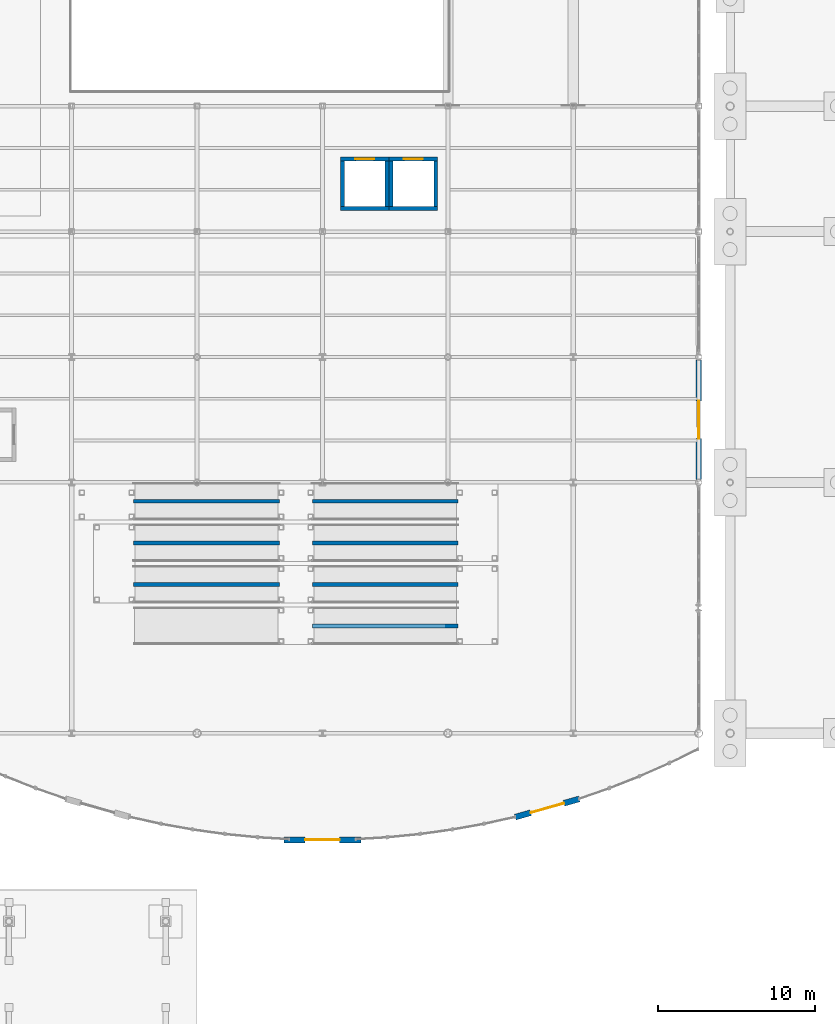
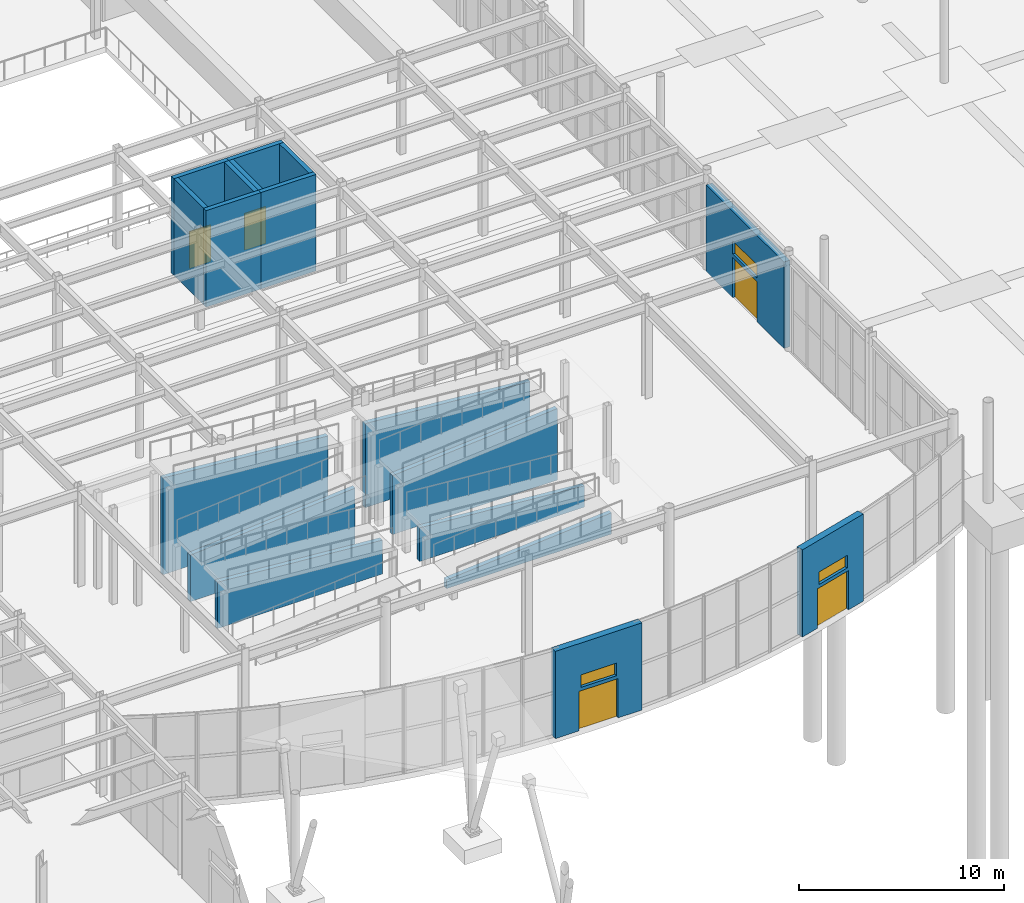
# One storey, part 61 of 82: 18 walls, 5 doors, 3 windows, 8 openings.
"""IFC4 building model written with IfcOpenShell, lengths in metres."""

from ifc_helpers import new_model, si_unit, direction, frame, frame_2d, origin, place, context, subcontext, project, spatial, polyline, rectangle, outline, extrude, material, layer, layer_set, type_object, element, fill, save


model = new_model("IFC4")

# Units and contexts
model_context = context("Model", 3, precision=1e-05, world=origin(), true_north=direction((0.0, 1.0)))
body_context = subcontext(model_context, "Body", "Model", "MODEL_VIEW")
ifc_project = project(units=[si_unit("LENGTHUNIT", "METRE"), si_unit("AREAUNIT", "SQUARE_METRE"), si_unit("VOLUMEUNIT", "CUBIC_METRE"), si_unit("PLANEANGLEUNIT", "RADIAN"), si_unit("MASSUNIT", "GRAM", prefix="KILO")], contexts=[model_context])

# Site, building, storey
site_placement = place(None, origin())
site = spatial("IfcSite", under=ifc_project, at=site_placement, CompositionType="ELEMENT")
building_placement = place(site_placement, origin())
building = spatial("IfcBuilding", under=site, at=building_placement, Name="Drelvath Fold Interchange", CompositionType="ELEMENT")
storey_placement = place(building_placement, origin())
storey = spatial("IfcBuildingStorey", under=building, at=storey_placement, Name="L00", CompositionType="ELEMENT", Elevation=0.0)

# Wall, openings, door, window
ifc_material_1 = material(Name="Precast concrete f'c 40 MPa (6000 psi)", Category="concrete")
ifc_layer_1 = layer(ifc_material_1, 0.340087890625, Name="Precast concrete f'c 40 MPa (6000 psi)")
ifc_layer_set_1 = layer_set([ifc_layer_1], Name="Precast concrete f'c 40 MPa (6000 psi)")
wall_type_1 = type_object("IfcWallType", Name="WL-EXT340", PredefinedType="SOLIDWALL", material=ifc_layer_set_1)
wall_1_placement = place(storey_placement, frame((100.0, 43.198974609375, 0.0), z_axis=(0.0, 0.0, 1.0), x_axis=(0.0, 1.0, 0.0)))
wall_1 = element("IfcWall", 1, at=wall_1_placement, inside=storey, type_object=wall_type_1, Name="L00 exterior facade wall 24", PredefinedType="SOLIDWALL", context=body_context, shape_type="SweptSolid", body=[
    extrude(rectangle(XDim=7.60205078125, YDim=0.340087890625, at=frame_2d((3.801025390625, 0.0))), origin(), (0.0, 0.0, 1.0), 5.14990234375),
])
opening_1_placement = place(wall_1_placement, frame((2.60107421875, 0.0, 0.0)))
opening_1 = element("IfcOpeningElement", 2, at=opening_1_placement, cuts=wall_1, Name="Opening E-17", PredefinedType="OPENING", context=body_context, shape_type="SweptSolid", body=[
    extrude(rectangle(XDim=2.39990234375, YDim=2.39990234375, at=frame_2d((1.199951171875, 1.199951171875))), frame((0.0, 0.179931640625, 0.0), z_axis=(0.0, -1.0, 0.0), x_axis=(1.0, 0.0, 0.0)), (0.0, 0.0, 1.0), 0.360107421875),
])
opening_2_placement = place(wall_1_placement, frame((2.60107421875, 0.0, 2.60009765625)))
opening_2 = element("IfcOpeningElement", 3, at=opening_2_placement, cuts=wall_1, Name="Opening W-L00-023", PredefinedType="OPENING", context=body_context, shape_type="SweptSolid", body=[
    extrude(rectangle(XDim=2.39990234375, YDim=0.800048828125, at=frame_2d((1.199951171875, 0.39990234375))), frame((0.0, 0.179931640625, 0.0), z_axis=(0.0, -1.0, 0.0), x_axis=(1.0, 0.0, 0.0)), (0.0, 0.0, 1.0), 0.360107421875),
])
ifc_material_2 = material(Name="Anodized Aluminium Glazed Door Assembly", Category="aluminium")
door_type_1 = type_object("IfcDoorType", Name="DR-EN2400", OperationType="DOUBLE_DOOR_SINGLE_SWING", PredefinedType="DOOR", material=ifc_material_2)
door_1_placement = place(opening_1_placement, frame((2.39990234375, 0.0, 0.0), z_axis=(0.0, 0.0, 1.0), x_axis=(-1.0, 0.0, 0.0)))
door_1 = element("IfcDoor", 4, at=door_1_placement, inside=storey, type_object=door_type_1, Name="Grade pedestrian entrance and final exit door E-17", OperationType="DOUBLE_DOOR_SINGLE_SWING", OverallHeight=2.39990234375, OverallWidth=2.39990234375, PredefinedType="DOOR", context=body_context, shape_type="SweptSolid", body=[
    extrude(rectangle(XDim=2.39990234375, YDim=2.39990234375, at=frame_2d((1.199951171875, 1.199951171875))), frame((0.0, 0.02490234375, 0.0), z_axis=(0.0, -1.0, 0.0), x_axis=(1.0, 0.0, 0.0)), (0.0, 0.0, 1.0), 0.050048828125),
])
fill(opening_1, door_1)
ifc_material_3 = material(Name="Low-Iron Insulated Laminated Glass", Category="glass")
window_type_1 = type_object("IfcWindowType", Name="WN-TR240x80", PartitioningType="SINGLE_PANEL", PredefinedType="LIGHTDOME", material=ifc_material_3)
window_1_placement = place(opening_2_placement, origin())
window_1 = element("IfcWindow", 5, at=window_1_placement, inside=storey, type_object=window_type_1, Name="Entrance transom window W-L00-023", OverallHeight=0.800048828125, OverallWidth=2.39990234375, PartitioningType="SINGLE_PANEL", PredefinedType="LIGHTDOME", context=body_context, shape_type="SweptSolid", body=[
    extrude(rectangle(XDim=2.39990234375, YDim=0.800048828125, at=frame_2d((1.199951171875, 0.39990234375))), frame((0.0, 0.030029296875, 0.0), z_axis=(0.0, -1.0, 0.0), x_axis=(1.0, 0.0, 0.0)), (0.0, 0.0, 1.0), 0.06005859375),
])
fill(opening_2, window_1)

ifc_layer_2 = layer(ifc_material_1, 0.3798828125, Name="Precast concrete f'c 40 MPa (6000 psi)")
ifc_layer_set_2 = layer_set([ifc_layer_2], Name="Precast concrete f'c 40 MPa (6000 psi)")
wall_type_2 = type_object("IfcWallType", Name="WL-EXT380", PredefinedType="SOLIDWALL", material=ifc_layer_set_2)
wall_2_placement = place(storey_placement, frame((73.554931640625, 20.199951171875, 0.0), z_axis=(0.0, 0.0, 1.0), x_axis=(1.0, 0.0, 0.0)))
wall_2 = element("IfcWall", 6, at=wall_2_placement, inside=storey, type_object=wall_type_2, Name="L00 exterior facade wall 2", PredefinedType="SOLIDWALL", context=body_context, shape_type="SweptSolid", body=[
    extrude(rectangle(XDim=4.89013671875, YDim=0.3798828125, at=frame_2d((2.445068359375, 0.0))), origin(), (0.0, 0.0, 1.0), 5.199951171875),
])
opening_3_placement = place(wall_2_placement, frame((1.344970703125, 0.0, 0.0)))
opening_3 = element("IfcOpeningElement", 7, at=opening_3_placement, cuts=wall_2, Name="Opening E-10", PredefinedType="OPENING", context=body_context, shape_type="SweptSolid", body=[
    extrude(rectangle(XDim=2.199951171875, YDim=2.35009765625, at=frame_2d((1.10009765625, 1.175048828125))), frame((0.0, 0.199951171875, 0.0), z_axis=(0.0, -1.0, 0.0), x_axis=(1.0, 0.0, 0.0)), (0.0, 0.0, 1.0), 0.39990234375),
])
opening_4_placement = place(wall_2_placement, frame((1.445068359375, 0.0, 2.550048828125)))
opening_4 = element("IfcOpeningElement", 8, at=opening_4_placement, cuts=wall_2, Name="Opening W-L00-002", PredefinedType="OPENING", context=body_context, shape_type="SweptSolid", body=[
    extrude(rectangle(XDim=2.0, YDim=0.75, at=frame_2d((1.0, 0.375))), frame((0.0, 0.199951171875, 0.0), z_axis=(0.0, -1.0, 0.0), x_axis=(1.0, 0.0, 0.0)), (0.0, 0.0, 1.0), 0.39990234375),
])
door_type_2 = type_object("IfcDoorType", Name="DR-EN2200", OperationType="DOUBLE_DOOR_SINGLE_SWING", PredefinedType="DOOR", material=ifc_material_2)
door_2_placement = place(opening_3_placement, frame((2.199951171875, 0.0, 0.0), z_axis=(0.0, 0.0, 1.0), x_axis=(-1.0, 0.0, 0.0)))
door_2 = element("IfcDoor", 9, at=door_2_placement, inside=storey, type_object=door_type_2, Name="Grade pedestrian entrance and final exit door E-10", OperationType="DOUBLE_DOOR_SINGLE_SWING", OverallHeight=2.35009765625, OverallWidth=2.199951171875, PredefinedType="DOOR", context=body_context, shape_type="SweptSolid", body=[
    extrude(rectangle(XDim=2.199951171875, YDim=2.35009765625, at=frame_2d((1.10009765625, 1.175048828125))), frame((0.0, 0.02490234375, 0.0), z_axis=(0.0, -1.0, 0.0), x_axis=(1.0, 0.0, 0.0)), (0.0, 0.0, 1.0), 0.050048828125),
])
fill(opening_3, door_2)
window_type_2 = type_object("IfcWindowType", Name="WN-TR200x75", PartitioningType="SINGLE_PANEL", PredefinedType="LIGHTDOME", material=ifc_material_3)
window_2_placement = place(opening_4_placement, origin())
window_2 = element("IfcWindow", 10, at=window_2_placement, inside=storey, type_object=window_type_2, Name="Entrance transom window W-L00-002", OverallHeight=0.75, OverallWidth=2.0, PartitioningType="SINGLE_PANEL", PredefinedType="LIGHTDOME", context=body_context, shape_type="SweptSolid", body=[
    extrude(rectangle(XDim=2.0, YDim=0.75, at=frame_2d((1.0, 0.375))), frame((0.0, 0.030029296875, 0.0), z_axis=(0.0, -1.0, 0.0), x_axis=(1.0, 0.0, 0.0)), (0.0, 0.0, 1.0), 0.06005859375),
])
fill(opening_4, window_2)

wall_3_placement = place(storey_placement, frame((88.29296875, 21.64990234375, 0.0), z_axis=(0.0, 0.0, 1.0), x_axis=(0.961877520315, 0.273480595132, 0.0)))
wall_3 = element("IfcWall", 11, at=wall_3_placement, inside=storey, type_object=wall_type_2, Name="L00 exterior facade wall 3", PredefinedType="SOLIDWALL", context=body_context, shape_type="SweptSolid", body=[
    extrude(rectangle(XDim=4.263671875, YDim=0.3798828125, at=frame_2d((2.1318359375, 0.0))), origin(), (0.0, 0.0, 1.0), 5.199951171875),
])
opening_5_placement = place(wall_3_placement, frame((1.031982421875, 0.0, 0.0)))
opening_5 = element("IfcOpeningElement", 12, at=opening_5_placement, cuts=wall_3, Name="Opening E-11", PredefinedType="OPENING", context=body_context, shape_type="SweptSolid", body=[
    extrude(rectangle(XDim=2.199951171875, YDim=2.35009765625, at=frame_2d((1.10009765625, 1.175048828125))), frame((0.0, 0.199951171875, 0.0), z_axis=(0.0, -1.0, 0.0), x_axis=(1.0, 0.0, 0.0)), (0.0, 0.0, 1.0), 0.39990234375),
])
opening_6_placement = place(wall_3_placement, frame((1.132080078125, 0.0, 2.550048828125)))
opening_6 = element("IfcOpeningElement", 13, at=opening_6_placement, cuts=wall_3, Name="Opening W-L00-003", PredefinedType="OPENING", context=body_context, shape_type="SweptSolid", body=[
    extrude(rectangle(XDim=2.0, YDim=0.75, at=frame_2d((1.0, 0.375))), frame((0.0, 0.199951171875, 0.0), z_axis=(0.0, -1.0, 0.0), x_axis=(1.0, 0.0, 0.0)), (0.0, 0.0, 1.0), 0.39990234375),
])
door_3_placement = place(opening_5_placement, frame((2.199951171875, 0.0, 0.0), z_axis=(0.0, 0.0, 1.0), x_axis=(-1.0, 0.0, 0.0)))
door_3 = element("IfcDoor", 14, at=door_3_placement, inside=storey, type_object=door_type_2, Name="Grade pedestrian entrance and final exit door E-11", OperationType="DOUBLE_DOOR_SINGLE_SWING", OverallHeight=2.35009765625, OverallWidth=2.199951171875, PredefinedType="DOOR", context=body_context, shape_type="SweptSolid", body=[
    extrude(rectangle(XDim=2.199951171875, YDim=2.35009765625, at=frame_2d((1.10009765625, 1.175048828125))), frame((0.0, 0.02490234375, 0.0), z_axis=(0.0, -1.0, 0.0), x_axis=(1.0, 0.0, 0.0)), (0.0, 0.0, 1.0), 0.050048828125),
])
fill(opening_5, door_3)
window_3_placement = place(opening_6_placement, origin())
window_3 = element("IfcWindow", 15, at=window_3_placement, inside=storey, type_object=window_type_2, Name="Entrance transom window W-L00-003", OverallHeight=0.75, OverallWidth=2.0, PartitioningType="SINGLE_PANEL", PredefinedType="LIGHTDOME", context=body_context, shape_type="SweptSolid", body=[
    extrude(rectangle(XDim=2.0, YDim=0.75, at=frame_2d((1.0, 0.375))), frame((0.0, 0.030029296875, 0.0), z_axis=(0.0, -1.0, 0.0), x_axis=(1.0, 0.0, 0.0)), (0.0, 0.0, 1.0), 0.06005859375),
])
fill(opening_6, window_3)

# Wall
ifc_material_4 = material(Name="Concrete f'c 45 MPa (6500 psi)", Category="concrete")
ifc_layer_3 = layer(ifc_material_4, 0.25, Name="Concrete f'c 45 MPa (6500 psi)")
ifc_layer_set_3 = layer_set([ifc_layer_3], Name="Concrete f'c 45 MPa (6500 psi)")
wall_type_3 = type_object("IfcWallType", Name="WL-SH250", PredefinedType="SOLIDWALL", material=ifc_layer_set_3)
wall_4_placement = place(storey_placement, frame((77.14990234375, 60.47509765625, 0.0), z_axis=(0.0, 0.0, 1.0), x_axis=(1.0, 0.0, 0.0)))
element("IfcWall", 16, at=wall_4_placement, inside=storey, type_object=wall_type_3, Name="LF-05 L00 south shaft wall", PredefinedType="SOLIDWALL", context=body_context, shape_type="SweptSolid", body=[
    extrude(rectangle(XDim=3.10009765625, YDim=0.25, at=frame_2d((1.550048828125, 0.0))), origin(), (0.0, 0.0, 1.0), 5.7548828125),
])

# Wall, opening, door
wall_5_placement = place(storey_placement, frame((80.25, 63.625, 0.0), z_axis=(0.0, 0.0, 1.0), x_axis=(-1.0, 0.0, 0.0)))
wall_5 = element("IfcWall", 17, at=wall_5_placement, inside=storey, type_object=wall_type_3, Name="LF-05 L00 north shaft wall", PredefinedType="SOLIDWALL", context=body_context, shape_type="SweptSolid", body=[
    extrude(rectangle(XDim=3.10009765625, YDim=0.25, at=frame_2d((1.550048828125, 0.0))), origin(), (0.0, 0.0, 1.0), 5.7548828125),
])
opening_7_placement = place(wall_5_placement, frame((0.949951171875, 0.0, 0.0)))
opening_7 = element("IfcOpeningElement", 18, at=opening_7_placement, cuts=wall_5, Name="Opening LD-LF-05-L00", PredefinedType="OPENING", context=body_context, shape_type="SweptSolid", body=[
    extrude(rectangle(XDim=1.199951171875, YDim=2.199951171875, at=frame_2d((0.60009765625, 1.10009765625))), frame((0.0, 0.135009765625, 0.0), z_axis=(0.0, -1.0, 0.0), x_axis=(1.0, 0.0, 0.0)), (0.0, 0.0, 1.0), 0.27001953125),
])
ifc_material_5 = material(Name="Insulated Hollow Metal Door Assembly")
door_type_3 = type_object("IfcDoorType", Name="DR-LD1200", OperationType="DOUBLE_DOOR_SLIDING", PredefinedType="DOOR", material=ifc_material_5)
door_4_placement = place(opening_7_placement, frame((1.199951171875, 0.0, 0.0), z_axis=(0.0, 0.0, 1.0), x_axis=(-1.0, 0.0, 0.0)))
door_4 = element("IfcDoor", 19, at=door_4_placement, inside=storey, type_object=door_type_3, Name="LF-05 L00 lift landing sliding door LD-LF-05-L00", OperationType="DOUBLE_DOOR_SLIDING", OverallHeight=2.199951171875, OverallWidth=1.199951171875, PredefinedType="DOOR", context=body_context, shape_type="SweptSolid", body=[
    extrude(rectangle(XDim=1.199951171875, YDim=2.199951171875, at=frame_2d((0.60009765625, 1.10009765625))), frame((0.0, 0.02490234375, 0.0), z_axis=(0.0, -1.0, 0.0), x_axis=(1.0, 0.0, 0.0)), (0.0, 0.0, 1.0), 0.050048828125),
])
fill(opening_7, door_4)

# Walls
for number, where, z_axis, x_axis, name in (
    (20, (80.125, 60.60009765625, 0.0), (0.0, 0.0, 1.0), (0.0, 1.0, 0.0), "LF-05 L00 east shaft wall"),
    (21, (77.27490234375, 63.5, 0.0), (0.0, 0.0, 1.0), (0.0, -1.0, 0.0), "LF-05 L00 west shaft wall"),
):
    element("IfcWall", number, at=place(storey_placement, frame(where, z_axis=z_axis, x_axis=x_axis)), inside=storey, type_object=wall_type_3, Name=name, PredefinedType="SOLIDWALL", context=body_context, shape_type="SweptSolid", body=[
        extrude(rectangle(XDim=2.89990234375, YDim=0.25, at=frame_2d((1.449951171875, 0.0))), origin(), (0.0, 0.0, 1.0), 5.7548828125),
    ])
wall_6_placement = place(storey_placement, frame((80.25, 60.47509765625, 0.0), z_axis=(0.0, 0.0, 1.0), x_axis=(1.0, 0.0, 0.0)))
element("IfcWall", 22, at=wall_6_placement, inside=storey, type_object=wall_type_3, Name="LF-06 L00 south shaft wall", PredefinedType="SOLIDWALL", context=body_context, shape_type="SweptSolid", body=[
    extrude(rectangle(XDim=3.10009765625, YDim=0.25, at=frame_2d((1.550048828125, 0.0))), origin(), (0.0, 0.0, 1.0), 5.7548828125),
])

# Wall, opening, door
wall_7_placement = place(storey_placement, frame((83.35009765625, 63.625, 0.0), z_axis=(0.0, 0.0, 1.0), x_axis=(-1.0, 0.0, 0.0)))
wall_7 = element("IfcWall", 23, at=wall_7_placement, inside=storey, type_object=wall_type_3, Name="LF-06 L00 north shaft wall", PredefinedType="SOLIDWALL", context=body_context, shape_type="SweptSolid", body=[
    extrude(rectangle(XDim=3.10009765625, YDim=0.25, at=frame_2d((1.550048828125, 0.0))), origin(), (0.0, 0.0, 1.0), 5.7548828125),
])
opening_8_placement = place(wall_7_placement, frame((0.949951171875, 0.0, 0.0)))
opening_8 = element("IfcOpeningElement", 24, at=opening_8_placement, cuts=wall_7, Name="Opening LD-LF-06-L00", PredefinedType="OPENING", context=body_context, shape_type="SweptSolid", body=[
    extrude(rectangle(XDim=1.199951171875, YDim=2.199951171875, at=frame_2d((0.60009765625, 1.10009765625))), frame((0.0, 0.135009765625, 0.0), z_axis=(0.0, -1.0, 0.0), x_axis=(1.0, 0.0, 0.0)), (0.0, 0.0, 1.0), 0.27001953125),
])
door_5_placement = place(opening_8_placement, frame((1.199951171875, 0.0, 0.0), z_axis=(0.0, 0.0, 1.0), x_axis=(-1.0, 0.0, 0.0)))
door_5 = element("IfcDoor", 25, at=door_5_placement, inside=storey, type_object=door_type_3, Name="LF-06 L00 lift landing sliding door LD-LF-06-L00", OperationType="DOUBLE_DOOR_SLIDING", OverallHeight=2.199951171875, OverallWidth=1.199951171875, PredefinedType="DOOR", context=body_context, shape_type="SweptSolid", body=[
    extrude(rectangle(XDim=1.199951171875, YDim=2.199951171875, at=frame_2d((0.60009765625, 1.10009765625))), frame((0.0, 0.02490234375, 0.0), z_axis=(0.0, -1.0, 0.0), x_axis=(1.0, 0.0, 0.0)), (0.0, 0.0, 1.0), 0.050048828125),
])
fill(opening_8, door_5)

# Walls
for number, where, z_axis, x_axis, name in (
    (26, (83.22509765625, 60.60009765625, 0.0), (0.0, 0.0, 1.0), (0.0, 1.0, 0.0), "LF-06 L00 east shaft wall"),
    (27, (80.375, 63.5, 0.0), (0.0, 0.0, 1.0), (0.0, -1.0, 0.0), "LF-06 L00 west shaft wall"),
):
    element("IfcWall", number, at=place(storey_placement, frame(where, z_axis=z_axis, x_axis=x_axis)), inside=storey, type_object=wall_type_3, Name=name, PredefinedType="SOLIDWALL", context=body_context, shape_type="SweptSolid", body=[
        extrude(rectangle(XDim=2.89990234375, YDim=0.25, at=frame_2d((1.449951171875, 0.0))), origin(), (0.0, 0.0, 1.0), 5.7548828125),
    ])
wall_8_placement = place(storey_placement, frame((75.35009765625, 33.85009765625, 0.0), z_axis=(0.0, 0.0, 1.0), x_axis=(1.0, 0.0, 0.0)))
element("IfcWall", 28, at=wall_8_placement, inside=storey, type_object=wall_type_3, Name="Promenade ramp flight 2 structural spine wall", PredefinedType="SOLIDWALL", context=body_context, shape_type="SweptSolid", body=[
    extrude(outline(polyline([(0.0, 0.0), (9.2998046875, 0.0), (9.300048828125, 1.27001953125), (0.0, 0.52001953125), (0.0, 0.0)])), frame((0.0, 0.125, 0.0), z_axis=(0.0, -1.0, 0.0), x_axis=(1.0, 0.0, 0.0)), (0.0, 0.0, 1.0), 0.25),
])
wall_9_placement = place(storey_placement, frame((84.64990234375, 36.5, 0.0), z_axis=(0.0, 0.0, 1.0), x_axis=(-1.0, 0.0, 0.0)))
element("IfcWall", 29, at=wall_9_placement, inside=storey, type_object=wall_type_3, Name="Promenade ramp flight 3 structural spine wall", PredefinedType="SOLIDWALL", context=body_context, shape_type="SweptSolid", body=[
    extrude(outline(polyline([(0.0, 0.0), (9.2998046875, 0.0), (9.300048828125, 2.02001953125), (0.0, 1.27001953125), (0.0, 0.0)])), frame((0.0, 0.125, 0.0), z_axis=(0.0, -1.0, 0.0), x_axis=(1.0, 0.0, 0.0)), (0.0, 0.0, 1.0), 0.25),
])
wall_10_placement = place(storey_placement, frame((73.25, 36.5, 0.0), z_axis=(0.0, 0.0, 1.0), x_axis=(-1.0, 0.0, 0.0)))
element("IfcWall", 30, at=wall_10_placement, inside=storey, type_object=wall_type_3, Name="Promenade ramp flight 4 structural spine wall", PredefinedType="SOLIDWALL", context=body_context, shape_type="SweptSolid", body=[
    extrude(outline(polyline([(0.0, 0.0), (9.300048828125, 0.0), (9.300048828125, 2.77001953125), (0.0, 2.02001953125), (0.0, 0.0)])), frame((0.0, 0.125, 0.0), z_axis=(0.0, -1.0, 0.0), x_axis=(1.0, 0.0, 0.0)), (0.0, 0.0, 1.0), 0.25),
])
wall_11_placement = place(storey_placement, frame((63.949951171875, 39.14990234375, 0.0), z_axis=(0.0, 0.0, 1.0), x_axis=(1.0, 0.0, 0.0)))
element("IfcWall", 31, at=wall_11_placement, inside=storey, type_object=wall_type_3, Name="Promenade ramp flight 5 structural spine wall", PredefinedType="SOLIDWALL", context=body_context, shape_type="SweptSolid", body=[
    extrude(outline(polyline([(0.0, 0.0), (9.300048828125, 0.0), (9.300048828125, 3.52001953125), (0.0, 2.77001953125), (0.0, 0.0)])), frame((0.0, 0.125, 0.0), z_axis=(0.0, -1.0, 0.0), x_axis=(1.0, 0.0, 0.0)), (0.0, 0.0, 1.0), 0.25),
])
wall_12_placement = place(storey_placement, frame((75.35009765625, 39.14990234375, 0.0), z_axis=(0.0, 0.0, 1.0), x_axis=(1.0, 0.0, 0.0)))
element("IfcWall", 32, at=wall_12_placement, inside=storey, type_object=wall_type_3, Name="Promenade ramp flight 6 structural spine wall", PredefinedType="SOLIDWALL", context=body_context, shape_type="SweptSolid", body=[
    extrude(outline(polyline([(0.0, 0.0), (9.2998046875, 0.0), (9.300048828125, 4.27001953125), (0.0, 3.52001953125), (0.0, 0.0)])), frame((0.0, 0.125, 0.0), z_axis=(0.0, -1.0, 0.0), x_axis=(1.0, 0.0, 0.0)), (0.0, 0.0, 1.0), 0.25),
])
wall_13_placement = place(storey_placement, frame((84.64990234375, 41.800048828125, 0.0), z_axis=(0.0, 0.0, 1.0), x_axis=(-1.0, 0.0, 0.0)))
element("IfcWall", 33, at=wall_13_placement, inside=storey, type_object=wall_type_3, Name="Promenade ramp flight 7 structural spine wall", PredefinedType="SOLIDWALL", context=body_context, shape_type="SweptSolid", body=[
    extrude(outline(polyline([(0.0, 0.0), (9.2998046875, 0.0), (9.300048828125, 5.02001953125), (0.0, 4.27001953125), (0.0, 0.0)])), frame((0.0, 0.125, 0.0), z_axis=(0.0, -1.0, 0.0), x_axis=(1.0, 0.0, 0.0)), (0.0, 0.0, 1.0), 0.25),
])
wall_14_placement = place(storey_placement, frame((73.25, 41.800048828125, 0.0), z_axis=(0.0, 0.0, 1.0), x_axis=(-1.0, 0.0, 0.0)))
element("IfcWall", 34, at=wall_14_placement, inside=storey, type_object=wall_type_3, Name="Promenade ramp flight 8 structural spine wall", PredefinedType="SOLIDWALL", context=body_context, shape_type="SweptSolid", body=[
    extrude(outline(polyline([(0.0, 0.0), (9.300048828125, 0.0), (9.300048828125, 5.77001953125), (0.0, 5.02001953125), (0.0, 0.0)])), frame((0.0, 0.125, 0.0), z_axis=(0.0, -1.0, 0.0), x_axis=(1.0, 0.0, 0.0)), (0.0, 0.0, 1.0), 0.25),
])

save(model, "model.ifc")
